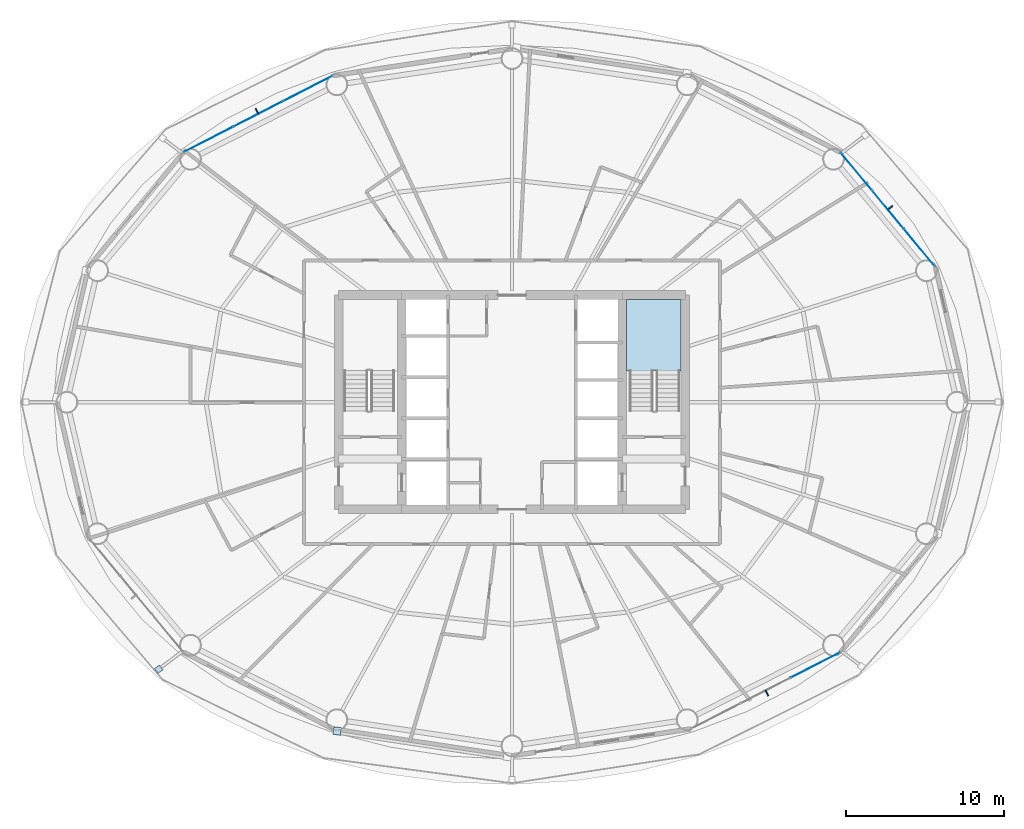
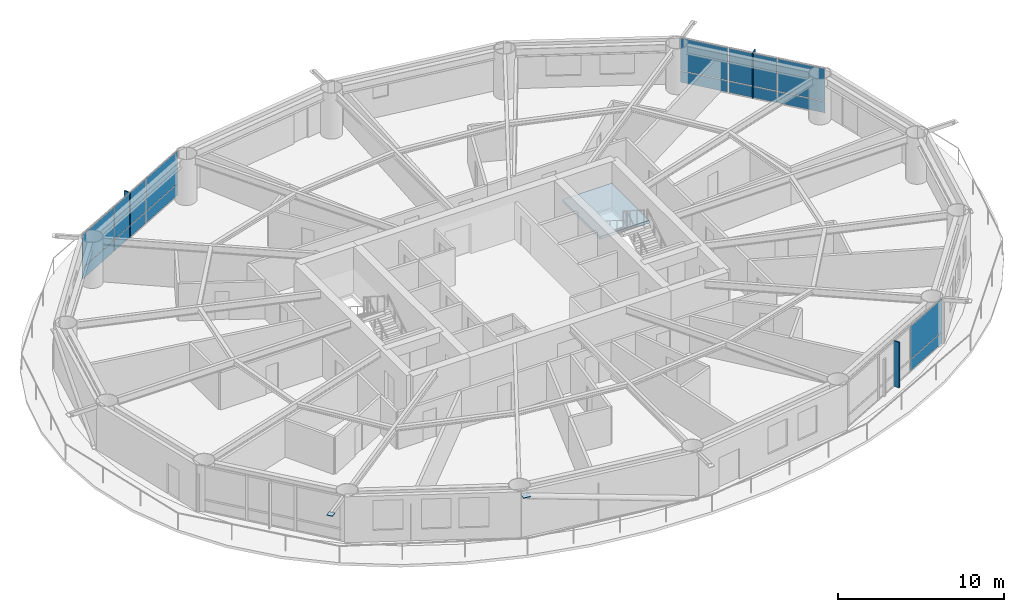
# One storey, part 16 of 24: 19 plates, 1 slab, 4 elements without a shape of their own.
"""IFC4 building model written with IfcOpenShell, lengths in metres."""

from ifc_helpers import new_model, si_unit, direction, frame, origin, origin_2d, place, context, subcontext, project, spatial, polyline, rectangle, outline, extrude, material, layer, layer_set, type_object, element, aggregate, save


model = new_model("IFC4")

# Units and contexts
model_context = context("Model", 3, precision=1e-05, world=origin(), true_north=direction((0.0, 1.0)))
body_context = subcontext(model_context, "Body", "Model", "MODEL_VIEW")
ifc_project = project(units=[si_unit("LENGTHUNIT", "METRE"), si_unit("AREAUNIT", "SQUARE_METRE"), si_unit("VOLUMEUNIT", "CUBIC_METRE"), si_unit("PLANEANGLEUNIT", "RADIAN"), si_unit("MASSUNIT", "GRAM", prefix="KILO")], contexts=[model_context])

# Site, building, storey
site_placement = place(None, origin())
site = spatial("IfcSite", under=ifc_project, at=site_placement, CompositionType="ELEMENT")
building_placement = place(site_placement, origin())
building = spatial("IfcBuilding", under=site, at=building_placement, Name="Sarneth Arch Tower", CompositionType="ELEMENT")
storey_placement = place(building_placement, frame((0.0, 0.0, 87.60009765625)))
storey = spatial("IfcBuildingStorey", under=building, at=storey_placement, Name="L21", CompositionType="ELEMENT", Elevation=87.60009765625)

# Curtain wall, plates
ifc_material_1 = material(Name="Anodised aluminium Type AA25 and solar-control low-e laminated IGU", Category="aluminium")
ifc_layer_1 = layer(ifc_material_1, 0.159912109375)
ifc_layer_set_1 = layer_set([ifc_layer_1], Name="Anodised aluminium Type AA25 and solar-control low-e laminated IGU")
curtain_wall_type = type_object("IfcCurtainWallType", Name="CW-HOTEL-MID", PredefinedType="NOTDEFINED", material=ifc_layer_set_1)
curtain_wall_1_placement = place(storey_placement, origin())
curtain_wall_1 = element("IfcCurtainWall", 1, at=curtain_wall_1_placement, inside=storey, type_object=curtain_wall_type, Name="L21 Unitised curtain wall facet 02", PredefinedType="NOTDEFINED")
ifc_material_2 = material(Name="Solar-control low-e laminated IGU", Category="glass")
ifc_layer_2 = layer(ifc_material_2, 0.028076171875)
ifc_layer_set_2 = layer_set([ifc_layer_2], Name="Solar-control low-e laminated IGU")
plate_type_1 = type_object("IfcPlateType", Name="CW-PANEL", PredefinedType="CURTAIN_PANEL", material=ifc_layer_set_2)
plate_1_placement = place(storey_placement, frame((73.84814453125, 51.807861328125, 0.059814453125), z_axis=(0.0, 0.0, 1.0), x_axis=(-0.637515188684, 0.770437787363, 0.0)))
plate_1 = element("IfcPlate", 2, at=plate_1_placement, type_object=plate_type_1, Name="Curtain wall glazed vision pane CW-L21-F02/P00-00", PredefinedType="CURTAIN_PANEL", context=body_context, shape_type="SweptSolid", body=[
    extrude(rectangle(XDim=3.058349609375, YDim=0.028076171875, at=origin_2d()), origin(), (0.0, 0.0, 1.0), 0.81005859375),
])
plate_2_placement = place(storey_placement, frame((73.84814453125, 51.807861328125, 0.93017578125), z_axis=(0.0, 0.0, 1.0), x_axis=(-0.637515188684, 0.770437787363, 0.0)))
plate_2 = element("IfcPlate", 3, at=plate_2_placement, type_object=plate_type_1, Name="Curtain wall glazed vision pane CW-L21-F02/P00-01", PredefinedType="CURTAIN_PANEL", context=body_context, shape_type="SweptSolid", body=[
    extrude(rectangle(XDim=3.058349609375, YDim=0.028076171875, at=origin_2d()), origin(), (0.0, 0.0, 1.0), 2.389892578125),
])
plate_3_placement = place(storey_placement, frame((71.8505859375, 54.221923828125, 0.059814453125), z_axis=(0.0, 0.0, 1.0), x_axis=(-0.637515188684, 0.770437787363, 0.0)))
plate_3 = element("IfcPlate", 4, at=plate_3_placement, type_object=plate_type_1, Name="Curtain wall glazed vision pane CW-L21-F02/P01-00", PredefinedType="CURTAIN_PANEL", context=body_context, shape_type="SweptSolid", body=[
    extrude(rectangle(XDim=3.08837890625, YDim=0.028076171875, at=origin_2d()), origin(), (0.0, 0.0, 1.0), 0.81005859375),
])
plate_4_placement = place(storey_placement, frame((71.8505859375, 54.221923828125, 0.93017578125), z_axis=(0.0, 0.0, 1.0), x_axis=(-0.637515188684, 0.770437787363, 0.0)))
plate_4 = element("IfcPlate", 5, at=plate_4_placement, type_object=plate_type_1, Name="Curtain wall glazed vision pane CW-L21-F02/P01-01", PredefinedType="CURTAIN_PANEL", context=body_context, shape_type="SweptSolid", body=[
    extrude(rectangle(XDim=3.08837890625, YDim=0.028076171875, at=origin_2d()), origin(), (0.0, 0.0, 1.0), 2.389892578125),
])
plate_5_placement = place(storey_placement, frame((69.85302734375, 56.635986328125, 0.059814453125), z_axis=(0.0, 0.0, 1.0), x_axis=(-0.637515188684, 0.770437787363, 0.0)))
plate_5 = element("IfcPlate", 6, at=plate_5_placement, type_object=plate_type_1, Name="Curtain wall glazed vision pane CW-L21-F02/P02-00", PredefinedType="CURTAIN_PANEL", context=body_context, shape_type="SweptSolid", body=[
    extrude(rectangle(XDim=3.058349609375, YDim=0.028076171875, at=origin_2d()), origin(), (0.0, 0.0, 1.0), 0.81005859375),
])
plate_6_placement = place(storey_placement, frame((69.85302734375, 56.635986328125, 0.93017578125), z_axis=(0.0, 0.0, 1.0), x_axis=(-0.637515188684, 0.770437787363, 0.0)))
plate_6 = element("IfcPlate", 7, at=plate_6_placement, type_object=plate_type_1, Name="Curtain wall glazed vision pane CW-L21-F02/P02-01", PredefinedType="CURTAIN_PANEL", context=body_context, shape_type="SweptSolid", body=[
    extrude(rectangle(XDim=3.058349609375, YDim=0.028076171875, at=origin_2d()), origin(), (0.0, 0.0, 1.0), 2.389892578125),
])
aggregate(curtain_wall_1, [plate_1, plate_2, plate_3, plate_4, plate_5, plate_6])

curtain_wall_2_placement = place(storey_placement, origin())
curtain_wall_2 = element("IfcCurtainWall", 8, at=curtain_wall_2_placement, inside=storey, type_object=curtain_wall_type, Name="L21 Unitised curtain wall facet 06", PredefinedType="NOTDEFINED")
plate_7_placement = place(storey_placement, frame((35.053955078125, 61.905517578125, 0.059814453125), z_axis=(0.0, 0.0, 1.0), x_axis=(-0.889963703649, -0.456031365356, 0.0)))
plate_7 = element("IfcPlate", 9, at=plate_7_placement, type_object=plate_type_1, Name="Curtain wall glazed vision pane CW-L21-F06/P00-00", PredefinedType="CURTAIN_PANEL", context=body_context, shape_type="SweptSolid", body=[
    extrude(rectangle(XDim=3.464111328125, YDim=0.028076171875, at=origin_2d()), origin(), (0.0, 0.0, 1.0), 0.81005859375),
])
plate_8_placement = place(storey_placement, frame((35.053955078125, 61.905517578125, 0.93017578125), z_axis=(0.0, 0.0, 1.0), x_axis=(-0.889963703649, -0.456031365356, 0.0)))
plate_8 = element("IfcPlate", 10, at=plate_8_placement, type_object=plate_type_1, Name="Curtain wall glazed vision pane CW-L21-F06/P00-01", PredefinedType="CURTAIN_PANEL", context=body_context, shape_type="SweptSolid", body=[
    extrude(rectangle(XDim=3.464111328125, YDim=0.028076171875, at=origin_2d()), origin(), (0.0, 0.0, 1.0), 2.389892578125),
])
plate_9_placement = place(storey_placement, frame((31.904296875, 60.29150390625, 0.059814453125), z_axis=(0.0, 0.0, 1.0), x_axis=(-0.889963703649, -0.456031365356, 0.0)))
plate_9 = element("IfcPlate", 11, at=plate_9_placement, type_object=plate_type_1, Name="Curtain wall glazed vision pane CW-L21-F06/P01-00", PredefinedType="CURTAIN_PANEL", context=body_context, shape_type="SweptSolid", body=[
    extrude(rectangle(XDim=3.493896484375, YDim=0.028076171875, at=origin_2d()), origin(), (0.0, 0.0, 1.0), 0.81005859375),
])
plate_10_placement = place(storey_placement, frame((31.904296875, 60.29150390625, 0.93017578125), z_axis=(0.0, 0.0, 1.0), x_axis=(-0.889963703649, -0.456031365356, 0.0)))
plate_10 = element("IfcPlate", 12, at=plate_10_placement, type_object=plate_type_1, Name="Curtain wall glazed vision pane CW-L21-F06/P01-01", PredefinedType="CURTAIN_PANEL", context=body_context, shape_type="SweptSolid", body=[
    extrude(rectangle(XDim=3.493896484375, YDim=0.028076171875, at=origin_2d()), origin(), (0.0, 0.0, 1.0), 2.389892578125),
])
plate_11_placement = place(storey_placement, frame((28.7548828125, 58.677734375, 0.059814453125), z_axis=(0.0, 0.0, 1.0), x_axis=(-0.889963703649, -0.456031365356, 0.0)))
plate_11 = element("IfcPlate", 13, at=plate_11_placement, type_object=plate_type_1, Name="Curtain wall glazed vision pane CW-L21-F06/P02-00", PredefinedType="CURTAIN_PANEL", context=body_context, shape_type="SweptSolid", body=[
    extrude(rectangle(XDim=3.464111328125, YDim=0.028076171875, at=origin_2d()), origin(), (0.0, 0.0, 1.0), 0.81005859375),
])
plate_12_placement = place(storey_placement, frame((28.7548828125, 58.677734375, 0.93017578125), z_axis=(0.0, 0.0, 1.0), x_axis=(-0.889963703649, -0.456031365356, 0.0)))
plate_12 = element("IfcPlate", 14, at=plate_12_placement, type_object=plate_type_1, Name="Curtain wall glazed vision pane CW-L21-F06/P02-01", PredefinedType="CURTAIN_PANEL", context=body_context, shape_type="SweptSolid", body=[
    extrude(rectangle(XDim=3.464111328125, YDim=0.028076171875, at=origin_2d()), origin(), (0.0, 0.0, 1.0), 2.389892578125),
])
aggregate(curtain_wall_2, [plate_7, plate_8, plate_9, plate_10, plate_11, plate_12])

curtain_wall_3_placement = place(storey_placement, origin())
curtain_wall_3 = element("IfcCurtainWall", 15, at=curtain_wall_3_placement, inside=storey, type_object=curtain_wall_type, Name="L21 Unitised curtain wall facet 14", PredefinedType="NOTDEFINED")
plate_13_placement = place(storey_placement, frame((67.2451171875, 25.322265625, 0.059814453125), z_axis=(0.0, 0.0, 1.0), x_axis=(0.889963703649, 0.456031365356, 0.0)))
plate_13 = element("IfcPlate", 16, at=plate_13_placement, type_object=plate_type_1, Name="Curtain wall glazed vision pane CW-L21-F14/P02-00", PredefinedType="CURTAIN_PANEL", context=body_context, shape_type="SweptSolid", body=[
    extrude(rectangle(XDim=3.464111328125, YDim=0.028076171875, at=origin_2d()), origin(), (0.0, 0.0, 1.0), 0.81005859375),
])
plate_14_placement = place(storey_placement, frame((67.2451171875, 25.322265625, 0.93017578125), z_axis=(0.0, 0.0, 1.0), x_axis=(0.889963703649, 0.456031365356, 0.0)))
plate_14 = element("IfcPlate", 17, at=plate_14_placement, type_object=plate_type_1, Name="Curtain wall glazed vision pane CW-L21-F14/P02-01", PredefinedType="CURTAIN_PANEL", context=body_context, shape_type="SweptSolid", body=[
    extrude(rectangle(XDim=3.464111328125, YDim=0.028076171875, at=origin_2d()), origin(), (0.0, 0.0, 1.0), 2.389892578125),
])
aggregate(curtain_wall_3, [plate_13, plate_14])

# Plates
ifc_material_3 = material(Name="Steel S355", Category="steel")
ifc_layer_3 = layer(ifc_material_3, 0.035888671875)
ifc_layer_set_3 = layer_set([ifc_layer_3], Name="Steel S355")
plate_type_2 = type_object("IfcPlateType", Name="PLT-GUSSET-30", PredefinedType="SHEET", material=ifc_layer_set_3)
plate_15_placement = place(storey_placement, frame((25.5849609375, 25.060546875, 3.2021484375), z_axis=(0.0, 0.0, 1.0), x_axis=(-0.797794439539, -0.602929541689, 0.0)))
element("IfcPlate", 18, at=plate_15_placement, inside=storey, type_object=plate_type_2, Name="Steel end cap plate GP-1", PredefinedType="SHEET", context=body_context, shape_type="SweptSolid", body=[
    extrude(rectangle(XDim=0.3798828125, YDim=0.3798828125, at=origin_2d()), origin(), (0.0, 0.0, 1.0), 0.035888671875),
])
plate_16_placement = place(storey_placement, frame((36.9072265625, 21.140380859375, 2.9951171875), z_axis=(0.0, 0.0, 1.0), x_axis=(0.988860535448, -0.148845024885, 0.0)))
element("IfcPlate", 19, at=plate_16_placement, inside=storey, type_object=plate_type_2, Name="Steel end cap plate GP-1", PredefinedType="SHEET", context=body_context, shape_type="SweptSolid", body=[
    extrude(rectangle(XDim=0.486083984375, YDim=0.486083984375, at=origin_2d()), origin(), (0.0, 0.0, 1.0), 0.035888671875),
])
ifc_material_4 = material(Name="Extruded glazed terracotta baguette fin on Aluminium 6063-T6 carrier", Category="masonry")
ifc_layer_4 = layer(ifc_material_4, 0.080078125)
ifc_layer_set_4 = layer_set([ifc_layer_4], Name="Extruded glazed terracotta baguette fin on Aluminium 6063-T6 carrier")
plate_type_3 = type_object("IfcPlateType", Name="SHADE-TERRA-FIN", PredefinedType="SHEET", material=ifc_layer_set_4)
for number, where, z_axis, x_axis, name in (
    (20, (71.981689453125, 54.330322265625, 0.009765625), (0.0, 0.0, 1.0), (0.770401979567, 0.63755845997, 0.0), "L21 Terracotta vertical shading fin 02"),
    (21, (31.826904296875, 60.44287109375, 0.009765625), (0.0, 0.0, 1.0), (-0.456010959102, 0.889974159838, 0.0), "L21 Terracotta vertical shading fin 06"),
    (22, (64.173095703125, 23.55712890625, 0.009765625), (0.0, 0.0, 1.0), (0.456010959102, -0.889974159838, 0.0), "L21 Terracotta vertical shading fin 14"),
):
    element("IfcPlate", number, at=place(storey_placement, frame(where, z_axis=z_axis, x_axis=x_axis)), inside=storey, type_object=plate_type_3, Name=name, PredefinedType="SHEET", context=body_context, shape_type="SweptSolid", body=[
        extrude(rectangle(XDim=0.419921875, YDim=0.080078125, at=origin_2d()), origin(), (0.0, 0.0, 1.0), 3.360107421875),
    ])

# Stair, slab
ifc_material_5 = material(Name="Concrete C50/60", Category="concrete")
stair_type = type_object("IfcStairType", Name="STAIR-CORE-RC", PredefinedType="HALF_TURN_STAIR", material=ifc_material_5)
stair_placement = place(storey_placement, origin())
stair = element("IfcStair", 23, at=stair_placement, inside=storey, type_object=stair_type, Name="L21 Core Exit Stair 2", PredefinedType="HALF_TURN_STAIR")
ifc_material_6 = material(Name="Concrete C50/60", Category="concrete")
ifc_layer_5 = layer(ifc_material_6, 0.199951171875)
ifc_layer_set_5 = layer_set([ifc_layer_5], Name="Concrete C50/60")
slab_type = type_object("IfcSlabType", Name="SLAB-LANDING-200", PredefinedType="LANDING", material=ifc_layer_set_5)
slab_placement = place(storey_placement, frame((0.0, 0.0, 1.599853515625)))
slab = element("IfcSlab", 24, at=slab_placement, type_object=slab_type, Name="ST-2 landing 1", PredefinedType="LANDING", context=body_context, shape_type="SweptSolid", body=[
    extrude(outline(polyline([(55.27490234375, 43.985107421875), (58.72509765625, 43.985107421875), (58.72509765625, 48.52490234375), (55.27490234375, 48.52490234375), (55.27490234375, 43.985107421875)])), origin(), (0.0, 0.0, 1.0), 0.199951171875),
])
aggregate(stair, [slab])

save(model, "model.ifc")
